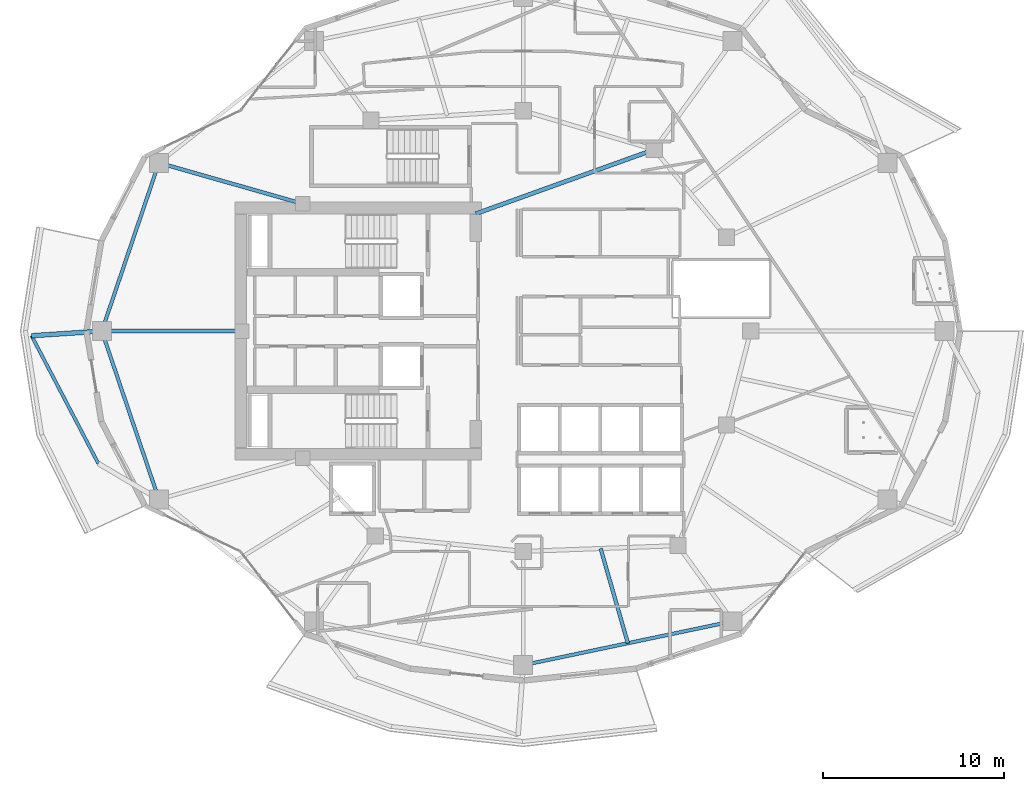
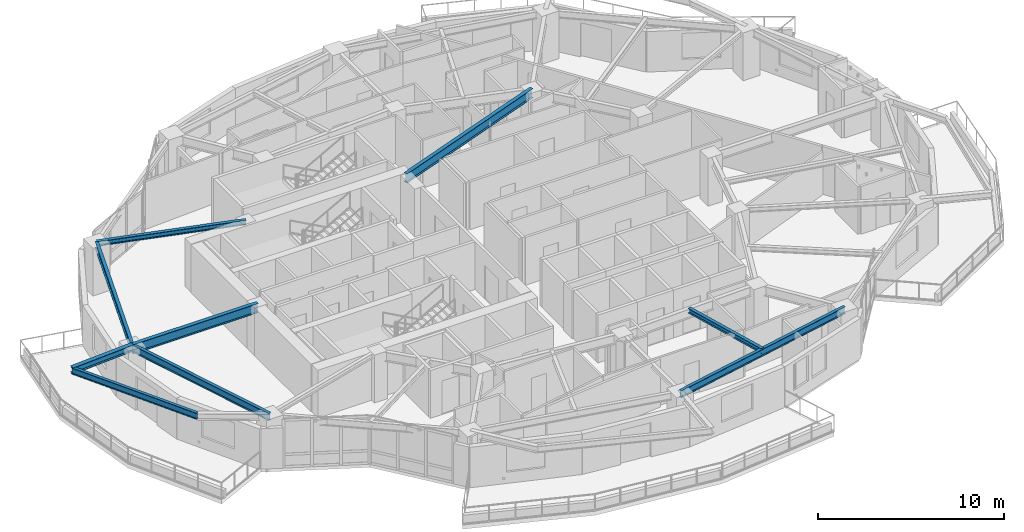
# One storey, part 3 of 18: 9 beams.
"""IFC4 building model written with IfcOpenShell, lengths in metres."""

from ifc_helpers import new_model, si_unit, direction, frame, origin, origin_2d, place, context, subcontext, project, spatial, i_section, extrude, material, material_profile, profile_set, type_object, element, save


model = new_model("IFC4")

# Units and contexts
model_context = context("Model", 3, precision=1e-05, world=origin(), true_north=direction((0.0, 1.0)))
body_context = subcontext(model_context, "Body", "Model", "MODEL_VIEW")
ifc_project = project(units=[si_unit("LENGTHUNIT", "METRE"), si_unit("AREAUNIT", "SQUARE_METRE"), si_unit("VOLUMEUNIT", "CUBIC_METRE"), si_unit("PLANEANGLEUNIT", "RADIAN"), si_unit("MASSUNIT", "GRAM", prefix="KILO")], contexts=[model_context])

# Site, building, storey
site_placement = place(None, origin())
site = spatial("IfcSite", under=ifc_project, at=site_placement, CompositionType="ELEMENT")
building_placement = place(site_placement, origin())
building = spatial("IfcBuilding", under=site, at=building_placement, Name="Kolvaren Gate Tower and Convention Centre", CompositionType="ELEMENT")
storey_placement = place(building_placement, frame((0.0, 0.0, 108.699951171875)))
storey = spatial("IfcBuildingStorey", under=building, at=storey_placement, Name="L26", CompositionType="ELEMENT", Elevation=108.699951171875)

# Beams
ifc_material = material(Name="Structural steel ASTM A992 Grade 345 MPa", Category="steel")
ifc_material_profile_1 = material_profile(ifc_material, i_section(OverallWidth=0.260009765625, OverallDepth=0.419921875, WebThickness=0.013427734375, FlangeThickness=0.0224609375, at=origin_2d()), Name="W410X132")
ifc_profile_set_1 = profile_set([ifc_material_profile_1], Name="Structural steel ASTM A992 Grade 345 MPa")
beam_type_1 = type_object("IfcBeamType", Name="STR-BM-W410X132", PredefinedType="BEAM", material=ifc_profile_set_1)
beam_1_placement = place(storey_placement, frame((6.78759765625, 27.0, 2.920654296875), z_axis=(-0.997849773417, -0.06554257922, 0.0), x_axis=(0.06554257922, -0.997849773417, 0.0)))
element("IfcBeam", 1, at=beam_1_placement, inside=storey, type_object=beam_type_1, Name="Tower L27 Planted Balcony Outrigger Cantilever BC-2A", PredefinedType="BEAM", context=body_context, shape_type="SweptSolid", body=[
    extrude(i_section(OverallWidth=0.260009765625, OverallDepth=0.419921875, WebThickness=0.013427734375, FlangeThickness=0.0224609375, at=origin_2d()), origin(), (0.0, 0.0, 1.0), 3.89990234375),
])
ifc_material_profile_2 = material_profile(ifc_material, i_section(OverallWidth=0.22998046875, OverallDepth=0.616943359375, WebThickness=0.01318359375, FlangeThickness=0.022216796875, at=origin_2d()), Name="W610X140")
ifc_profile_set_2 = profile_set([ifc_material_profile_2], Name="Structural steel ASTM A992 Grade 345 MPa")
beam_type_2 = type_object("IfcBeamType", Name="STR-BM-W610X140", PredefinedType="BEAM", material=ifc_profile_set_2)
beam_2_placement = place(storey_placement, frame((27.5, 33.5, 2.821533203125), z_axis=(0.940961479908, 0.338513653093, 0.0), x_axis=(-0.338513653093, 0.940961479908, 0.0)))
element("IfcBeam", 2, at=beam_2_placement, inside=storey, type_object=beam_type_2, Name="Tower L26 Primary Ring Girder G-10", PredefinedType="BEAM", context=body_context, shape_type="SweptSolid", body=[
    extrude(i_section(OverallWidth=0.22998046875, OverallDepth=0.616943359375, WebThickness=0.01318359375, FlangeThickness=0.022216796875, at=origin_2d()), origin(), (0.0, 0.0, 1.0), 10.501708984375),
])
beam_3_placement = place(storey_placement, frame((14.550048828125, 27.0, 2.821533203125), z_axis=(-1.0, 0.0, 0.0), x_axis=(0.0, -1.0, 0.0)))
element("IfcBeam", 3, at=beam_3_placement, inside=storey, type_object=beam_type_2, Name="Tower L26 Radial Floor Girder RB-07", PredefinedType="BEAM", context=body_context, shape_type="SweptSolid", body=[
    extrude(i_section(OverallWidth=0.22998046875, OverallDepth=0.616943359375, WebThickness=0.01318359375, FlangeThickness=0.022216796875, at=origin_2d()), origin(), (0.0, 0.0, 1.0), 7.762451171875),
])
ifc_material_profile_3 = material_profile(ifc_material, i_section(OverallWidth=0.205078125, OverallDepth=0.31005859375, WebThickness=0.009521484375, FlangeThickness=0.016357421875, at=origin_2d()), Name="W310X74")
ifc_profile_set_3 = profile_set([ifc_material_profile_3], Name="Structural steel ASTM A992 Grade 345 MPa")
beam_type_3 = type_object("IfcBeamType", Name="STR-JS-W310X74", PredefinedType="JOIST", material=ifc_profile_set_3)
beam_4_placement = place(storey_placement, frame((17.9140625, 34.050048828125, 2.97509765625), z_axis=(-0.961746134311, 0.27394228067, 0.0), x_axis=(-0.27394228067, -0.961746134311, 0.0)))
element("IfcBeam", 4, at=beam_4_placement, inside=storey, type_object=beam_type_3, Name="Tower L26 Radial Floor Girder RB-06", PredefinedType="JOIST", context=body_context, shape_type="SweptSolid", body=[
    extrude(i_section(OverallWidth=0.205078125, OverallDepth=0.31005859375, WebThickness=0.009521484375, FlangeThickness=0.016357421875, at=origin_2d()), origin(), (0.0, 0.0, 1.0), 8.28125),
])
beam_5_placement = place(storey_placement, frame((34.41162109375, 14.960205078125, 2.97509765625), z_axis=(0.27693589933, -0.960888395009, 0.0), x_axis=(0.960888395009, 0.27693589933, 0.0)))
element("IfcBeam", 5, at=beam_5_placement, inside=storey, type_object=beam_type_3, Name="Tower L26 Secondary Composite Floor Joist J-10.1", PredefinedType="JOIST", context=body_context, shape_type="SweptSolid", body=[
    extrude(i_section(OverallWidth=0.205078125, OverallDepth=0.31005859375, WebThickness=0.009521484375, FlangeThickness=0.016357421875, at=origin_2d()), origin(), (0.0, 0.0, 1.0), 5.457763671875),
])
ifc_material_profile_4 = material_profile(ifc_material, i_section(OverallWidth=0.180908203125, OverallDepth=0.4169921875, WebThickness=0.010986328125, FlangeThickness=0.018310546875, at=origin_2d()), Name="W410X85")
ifc_profile_set_4 = profile_set([ifc_material_profile_4], Name="Structural steel ASTM A992 Grade 345 MPa")
beam_type_4 = type_object("IfcBeamType", Name="STR-SP-W410X85", PredefinedType="SPANDREL", material=ifc_profile_set_4)
beam_6_placement = place(storey_placement, frame((2.89599609375, 26.744384765625, 2.922119140625), z_axis=(0.463226370738, -0.886239995403, 0.0), x_axis=(0.886239995403, 0.463226370738, 0.0)))
element("IfcBeam", 6, at=beam_6_placement, inside=storey, type_object=beam_type_4, Name="Tower L27 Planted Balcony Header Tie Beam BT-2", PredefinedType="SPANDREL", context=body_context, shape_type="SweptSolid", body=[
    extrude(i_section(OverallWidth=0.180908203125, OverallDepth=0.4169921875, WebThickness=0.010986328125, FlangeThickness=0.018310546875, at=origin_2d()), origin(), (0.0, 0.0, 1.0), 7.983642578125),
])
ifc_material_profile_5 = material_profile(ifc_material, i_section(OverallWidth=0.194091796875, OverallDepth=0.468994140625, WebThickness=0.0126953125, FlangeThickness=0.0205078125, at=origin_2d()), Name="W460X106")
ifc_profile_set_5 = profile_set([ifc_material_profile_5], Name="Structural steel ASTM A992 Grade 345 MPa")
beam_type_5 = type_object("IfcBeamType", Name="STR-SP-W460X106", PredefinedType="SPANDREL", material=ifc_profile_set_5)
for number, where, z_axis, x_axis, name in (
    (7, (9.94970703125, 36.318603515625, 2.8955078125), (-0.321336471485, -0.946965084939, 0.0), (0.946965084939, -0.321336471485, 0.0), "Tower L26 Perimeter Spandrel Beam SP-06"),
    (8, (6.78759765625, 27.0, 2.8955078125), (0.321336471485, -0.946965084939, 0.0), (0.946965084939, 0.321336471485, 0.0), "Tower L26 Perimeter Spandrel Beam SP-07"),
):
    element("IfcBeam", number, at=place(storey_placement, frame(where, z_axis=z_axis, x_axis=x_axis)), inside=storey, type_object=beam_type_5, Name=name, PredefinedType="SPANDREL", context=body_context, shape_type="SweptSolid", body=[
        extrude(i_section(OverallWidth=0.194091796875, OverallDepth=0.468994140625, WebThickness=0.0126953125, FlangeThickness=0.0205078125, at=origin_2d()), origin(), (0.0, 0.0, 1.0), 9.840576171875),
    ])
beam_7_placement = place(storey_placement, frame((30.125, 8.5, 2.8955078125), z_axis=(0.978714746947, 0.205225349578, 0.0), x_axis=(-0.205225349578, 0.978714746947, 0.0)))
element("IfcBeam", 9, at=beam_7_placement, inside=storey, type_object=beam_type_5, Name="Tower L26 Perimeter Spandrel Beam SP-10", PredefinedType="SPANDREL", context=body_context, shape_type="SweptSolid", body=[
    extrude(i_section(OverallWidth=0.194091796875, OverallDepth=0.468994140625, WebThickness=0.0126953125, FlangeThickness=0.0205078125, at=origin_2d()), origin(), (0.0, 0.0, 1.0), 11.8486328125),
])

save(model, "model.ifc")
